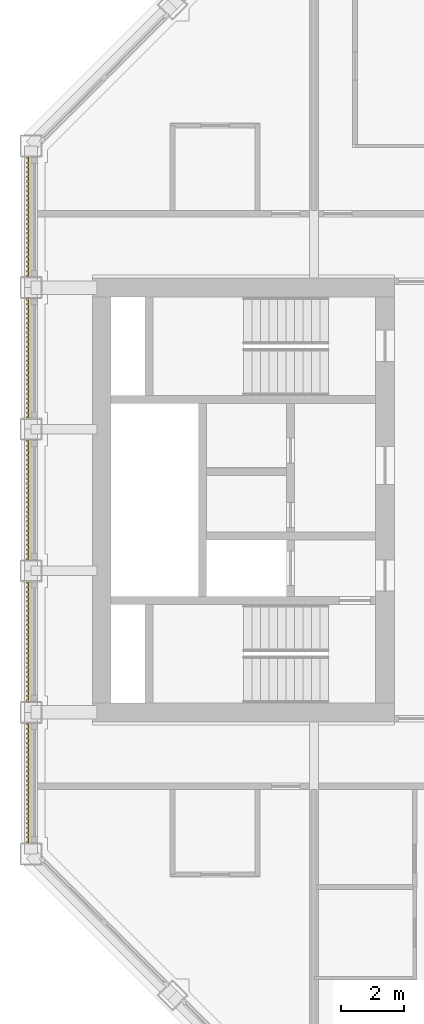
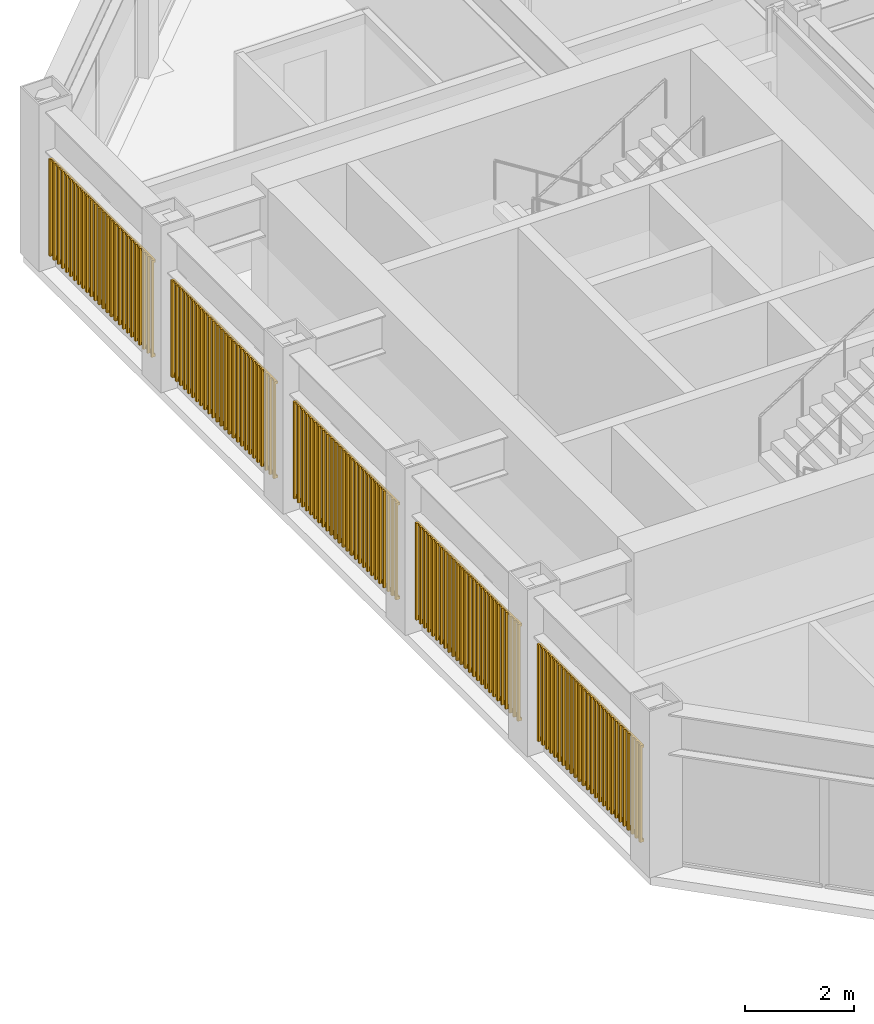
# One storey, part 15 of 18: 1 shading device.
"""IFC4 building model written with IfcOpenShell, lengths in metres."""

from ifc_helpers import new_model, si_unit, direction, frame, origin, origin_2d, place, context, subcontext, project, spatial, rectangle, extrude, material, type_object, element, save


model = new_model("IFC4")

# Units and contexts
model_context = context("Model", 3, precision=1e-05, world=origin(), true_north=direction((0.0, 1.0)))
body_context = subcontext(model_context, "Body", "Model", "MODEL_VIEW")
ifc_project = project(units=[si_unit("LENGTHUNIT", "METRE"), si_unit("AREAUNIT", "SQUARE_METRE"), si_unit("VOLUMEUNIT", "CUBIC_METRE"), si_unit("PLANEANGLEUNIT", "RADIAN"), si_unit("MASSUNIT", "GRAM", prefix="KILO")], contexts=[model_context])

# Site, building, storey
site_placement = place(None, origin())
site = spatial("IfcSite", under=ifc_project, at=site_placement, CompositionType="ELEMENT")
building_placement = place(site_placement, origin())
building = spatial("IfcBuilding", under=site, at=building_placement, Name="Msasa Ring Tower", CompositionType="ELEMENT")
storey_placement = place(building_placement, frame((0.0, 0.0, 245.800048828125)))
storey = spatial("IfcBuildingStorey", under=building, at=storey_placement, Name="L64", CompositionType="ELEMENT", Elevation=245.800048828125)

# Shading device
ifc_material = material(Name="Extruded terracotta on aluminium carriers", Category="masonry")
shading_device_type = type_object("IfcShadingDeviceType", Name="BS1 TERRACOTTA BAGUETTE SCREEN 50x50 AT 150", PredefinedType="USERDEFINED", material=ifc_material)
shading_device_placement = place(storey_placement, origin())
element("IfcShadingDevice", 1, at=shading_device_placement, inside=storey, type_object=shading_device_type, Name="Terracotta baguette screen W L64", ObjectType="BAGUETTE", PredefinedType="USERDEFINED", context=body_context, shape_type="SweptSolid", body=[
    extrude(rectangle(XDim=0.06005859375, YDim=0.0400390625, at=origin_2d()), frame((-20.330078125, -10.89990234375, 0.329833984375), z_axis=(0.0, 1.0, 0.0), x_axis=(0.0, 0.0, 1.0)), (0.0, 0.0, 1.0), 3.800048828125),
    extrude(rectangle(XDim=0.06005859375, YDim=0.0400390625, at=origin_2d()), frame((-20.330078125, -10.89990234375, 2.448974609375), z_axis=(0.0, 1.0, 0.0), x_axis=(0.0, 0.0, 1.0)), (0.0, 0.0, 1.0), 3.800048828125),
    extrude(rectangle(XDim=0.050048828125, YDim=0.050048828125, at=origin_2d()), frame((-20.3701171875, -10.875, 0.300048828125), z_axis=(0.0, 0.0, 1.0), x_axis=(0.0, 1.0, 0.0)), (0.0, 0.0, 1.0), 2.178955078125),
    extrude(rectangle(XDim=0.050048828125, YDim=0.050048828125, at=origin_2d()), frame((-20.3701171875, -10.72509765625, 0.300048828125), z_axis=(0.0, 0.0, 1.0), x_axis=(0.0, 1.0, 0.0)), (0.0, 0.0, 1.0), 2.178955078125),
    extrude(rectangle(XDim=0.050048828125, YDim=0.050048828125, at=origin_2d()), frame((-20.3701171875, -10.574951171875, 0.300048828125), z_axis=(0.0, 0.0, 1.0), x_axis=(0.0, 1.0, 0.0)), (0.0, 0.0, 1.0), 2.178955078125),
    extrude(rectangle(XDim=0.050048828125, YDim=0.050048828125, at=origin_2d()), frame((-20.3701171875, -10.425048828125, 0.300048828125), z_axis=(0.0, 0.0, 1.0), x_axis=(0.0, 1.0, 0.0)), (0.0, 0.0, 1.0), 2.178955078125),
    extrude(rectangle(XDim=0.050048828125, YDim=0.050048828125, at=origin_2d()), frame((-20.3701171875, -10.27490234375, 0.300048828125), z_axis=(0.0, 0.0, 1.0), x_axis=(0.0, 1.0, 0.0)), (0.0, 0.0, 1.0), 2.178955078125),
    extrude(rectangle(XDim=0.050048828125, YDim=0.050048828125, at=origin_2d()), frame((-20.3701171875, -10.125, 0.300048828125), z_axis=(0.0, 0.0, 1.0), x_axis=(0.0, 1.0, 0.0)), (0.0, 0.0, 1.0), 2.178955078125),
    extrude(rectangle(XDim=0.050048828125, YDim=0.050048828125, at=origin_2d()), frame((-20.3701171875, -9.97509765625, 0.300048828125), z_axis=(0.0, 0.0, 1.0), x_axis=(0.0, 1.0, 0.0)), (0.0, 0.0, 1.0), 2.178955078125),
    extrude(rectangle(XDim=0.050048828125, YDim=0.050048828125, at=origin_2d()), frame((-20.3701171875, -9.824951171875, 0.300048828125), z_axis=(0.0, 0.0, 1.0), x_axis=(0.0, 1.0, 0.0)), (0.0, 0.0, 1.0), 2.178955078125),
    extrude(rectangle(XDim=0.050048828125, YDim=0.050048828125, at=origin_2d()), frame((-20.3701171875, -9.675048828125, 0.300048828125), z_axis=(0.0, 0.0, 1.0), x_axis=(0.0, 1.0, 0.0)), (0.0, 0.0, 1.0), 2.178955078125),
    extrude(rectangle(XDim=0.050048828125, YDim=0.050048828125, at=origin_2d()), frame((-20.3701171875, -9.52490234375, 0.300048828125), z_axis=(0.0, 0.0, 1.0), x_axis=(0.0, 1.0, 0.0)), (0.0, 0.0, 1.0), 2.178955078125),
    extrude(rectangle(XDim=0.050048828125, YDim=0.050048828125, at=origin_2d()), frame((-20.3701171875, -9.375, 0.300048828125), z_axis=(0.0, 0.0, 1.0), x_axis=(0.0, 1.0, 0.0)), (0.0, 0.0, 1.0), 2.178955078125),
    extrude(rectangle(XDim=0.050048828125, YDim=0.050048828125, at=origin_2d()), frame((-20.3701171875, -9.22509765625, 0.300048828125), z_axis=(0.0, 0.0, 1.0), x_axis=(0.0, 1.0, 0.0)), (0.0, 0.0, 1.0), 2.178955078125),
    extrude(rectangle(XDim=0.050048828125, YDim=0.050048828125, at=origin_2d()), frame((-20.3701171875, -9.074951171875, 0.300048828125), z_axis=(0.0, 0.0, 1.0), x_axis=(0.0, 1.0, 0.0)), (0.0, 0.0, 1.0), 2.178955078125),
    extrude(rectangle(XDim=0.050048828125, YDim=0.050048828125, at=origin_2d()), frame((-20.3701171875, -8.925048828125, 0.300048828125), z_axis=(0.0, 0.0, 1.0), x_axis=(0.0, 1.0, 0.0)), (0.0, 0.0, 1.0), 2.178955078125),
    extrude(rectangle(XDim=0.050048828125, YDim=0.050048828125, at=origin_2d()), frame((-20.3701171875, -8.77490234375, 0.300048828125), z_axis=(0.0, 0.0, 1.0), x_axis=(0.0, 1.0, 0.0)), (0.0, 0.0, 1.0), 2.178955078125),
    extrude(rectangle(XDim=0.050048828125, YDim=0.050048828125, at=origin_2d()), frame((-20.3701171875, -8.625, 0.300048828125), z_axis=(0.0, 0.0, 1.0), x_axis=(0.0, 1.0, 0.0)), (0.0, 0.0, 1.0), 2.178955078125),
    extrude(rectangle(XDim=0.050048828125, YDim=0.050048828125, at=origin_2d()), frame((-20.3701171875, -8.47509765625, 0.300048828125), z_axis=(0.0, 0.0, 1.0), x_axis=(0.0, 1.0, 0.0)), (0.0, 0.0, 1.0), 2.178955078125),
    extrude(rectangle(XDim=0.050048828125, YDim=0.050048828125, at=origin_2d()), frame((-20.3701171875, -8.324951171875, 0.300048828125), z_axis=(0.0, 0.0, 1.0), x_axis=(0.0, 1.0, 0.0)), (0.0, 0.0, 1.0), 2.178955078125),
    extrude(rectangle(XDim=0.050048828125, YDim=0.050048828125, at=origin_2d()), frame((-20.3701171875, -8.175048828125, 0.300048828125), z_axis=(0.0, 0.0, 1.0), x_axis=(0.0, 1.0, 0.0)), (0.0, 0.0, 1.0), 2.178955078125),
    extrude(rectangle(XDim=0.050048828125, YDim=0.050048828125, at=origin_2d()), frame((-20.3701171875, -8.02490234375, 0.300048828125), z_axis=(0.0, 0.0, 1.0), x_axis=(0.0, 1.0, 0.0)), (0.0, 0.0, 1.0), 2.178955078125),
    extrude(rectangle(XDim=0.050048828125, YDim=0.050048828125, at=origin_2d()), frame((-20.3701171875, -7.875, 0.300048828125), z_axis=(0.0, 0.0, 1.0), x_axis=(0.0, 1.0, 0.0)), (0.0, 0.0, 1.0), 2.178955078125),
    extrude(rectangle(XDim=0.050048828125, YDim=0.050048828125, at=origin_2d()), frame((-20.3701171875, -7.72509765625, 0.300048828125), z_axis=(0.0, 0.0, 1.0), x_axis=(0.0, 1.0, 0.0)), (0.0, 0.0, 1.0), 2.178955078125),
    extrude(rectangle(XDim=0.050048828125, YDim=0.050048828125, at=origin_2d()), frame((-20.3701171875, -7.574951171875, 0.300048828125), z_axis=(0.0, 0.0, 1.0), x_axis=(0.0, 1.0, 0.0)), (0.0, 0.0, 1.0), 2.178955078125),
    extrude(rectangle(XDim=0.050048828125, YDim=0.050048828125, at=origin_2d()), frame((-20.3701171875, -7.425048828125, 0.300048828125), z_axis=(0.0, 0.0, 1.0), x_axis=(0.0, 1.0, 0.0)), (0.0, 0.0, 1.0), 2.178955078125),
    extrude(rectangle(XDim=0.050048828125, YDim=0.050048828125, at=origin_2d()), frame((-20.3701171875, -7.27490234375, 0.300048828125), z_axis=(0.0, 0.0, 1.0), x_axis=(0.0, 1.0, 0.0)), (0.0, 0.0, 1.0), 2.178955078125),
    extrude(rectangle(XDim=0.050048828125, YDim=0.050048828125, at=origin_2d()), frame((-20.3701171875, -7.125, 0.300048828125), z_axis=(0.0, 0.0, 1.0), x_axis=(0.0, 1.0, 0.0)), (0.0, 0.0, 1.0), 2.178955078125),
    extrude(rectangle(XDim=0.06005859375, YDim=0.0400390625, at=origin_2d()), frame((-20.330078125, -6.39990234375, 0.329833984375), z_axis=(0.0, 1.0, 0.0), x_axis=(0.0, 0.0, 1.0)), (0.0, 0.0, 1.0), 3.800048828125),
    extrude(rectangle(XDim=0.06005859375, YDim=0.0400390625, at=origin_2d()), frame((-20.330078125, -6.39990234375, 2.448974609375), z_axis=(0.0, 1.0, 0.0), x_axis=(0.0, 0.0, 1.0)), (0.0, 0.0, 1.0), 3.800048828125),
    extrude(rectangle(XDim=0.050048828125, YDim=0.050048828125, at=origin_2d()), frame((-20.3701171875, -6.375, 0.300048828125), z_axis=(0.0, 0.0, 1.0), x_axis=(0.0, 1.0, 0.0)), (0.0, 0.0, 1.0), 2.178955078125),
    extrude(rectangle(XDim=0.050048828125, YDim=0.050048828125, at=origin_2d()), frame((-20.3701171875, -6.22509765625, 0.300048828125), z_axis=(0.0, 0.0, 1.0), x_axis=(0.0, 1.0, 0.0)), (0.0, 0.0, 1.0), 2.178955078125),
    extrude(rectangle(XDim=0.050048828125, YDim=0.050048828125, at=origin_2d()), frame((-20.3701171875, -6.074951171875, 0.300048828125), z_axis=(0.0, 0.0, 1.0), x_axis=(0.0, 1.0, 0.0)), (0.0, 0.0, 1.0), 2.178955078125),
    extrude(rectangle(XDim=0.050048828125, YDim=0.050048828125, at=origin_2d()), frame((-20.3701171875, -5.925048828125, 0.300048828125), z_axis=(0.0, 0.0, 1.0), x_axis=(0.0, 1.0, 0.0)), (0.0, 0.0, 1.0), 2.178955078125),
    extrude(rectangle(XDim=0.050048828125, YDim=0.050048828125, at=origin_2d()), frame((-20.3701171875, -5.77490234375, 0.300048828125), z_axis=(0.0, 0.0, 1.0), x_axis=(0.0, 1.0, 0.0)), (0.0, 0.0, 1.0), 2.178955078125),
    extrude(rectangle(XDim=0.050048828125, YDim=0.050048828125, at=origin_2d()), frame((-20.3701171875, -5.625, 0.300048828125), z_axis=(0.0, 0.0, 1.0), x_axis=(0.0, 1.0, 0.0)), (0.0, 0.0, 1.0), 2.178955078125),
    extrude(rectangle(XDim=0.050048828125, YDim=0.050048828125, at=origin_2d()), frame((-20.3701171875, -5.47509765625, 0.300048828125), z_axis=(0.0, 0.0, 1.0), x_axis=(0.0, 1.0, 0.0)), (0.0, 0.0, 1.0), 2.178955078125),
    extrude(rectangle(XDim=0.050048828125, YDim=0.050048828125, at=origin_2d()), frame((-20.3701171875, -5.324951171875, 0.300048828125), z_axis=(0.0, 0.0, 1.0), x_axis=(0.0, 1.0, 0.0)), (0.0, 0.0, 1.0), 2.178955078125),
    extrude(rectangle(XDim=0.050048828125, YDim=0.050048828125, at=origin_2d()), frame((-20.3701171875, -5.175048828125, 0.300048828125), z_axis=(0.0, 0.0, 1.0), x_axis=(0.0, 1.0, 0.0)), (0.0, 0.0, 1.0), 2.178955078125),
    extrude(rectangle(XDim=0.050048828125, YDim=0.050048828125, at=origin_2d()), frame((-20.3701171875, -5.02490234375, 0.300048828125), z_axis=(0.0, 0.0, 1.0), x_axis=(0.0, 1.0, 0.0)), (0.0, 0.0, 1.0), 2.178955078125),
    extrude(rectangle(XDim=0.050048828125, YDim=0.050048828125, at=origin_2d()), frame((-20.3701171875, -4.875, 0.300048828125), z_axis=(0.0, 0.0, 1.0), x_axis=(0.0, 1.0, 0.0)), (0.0, 0.0, 1.0), 2.178955078125),
    extrude(rectangle(XDim=0.050048828125, YDim=0.050048828125, at=origin_2d()), frame((-20.3701171875, -4.72509765625, 0.300048828125), z_axis=(0.0, 0.0, 1.0), x_axis=(0.0, 1.0, 0.0)), (0.0, 0.0, 1.0), 2.178955078125),
    extrude(rectangle(XDim=0.050048828125, YDim=0.050048828125, at=origin_2d()), frame((-20.3701171875, -4.574951171875, 0.300048828125), z_axis=(0.0, 0.0, 1.0), x_axis=(0.0, 1.0, 0.0)), (0.0, 0.0, 1.0), 2.178955078125),
    extrude(rectangle(XDim=0.050048828125, YDim=0.050048828125, at=origin_2d()), frame((-20.3701171875, -4.425048828125, 0.300048828125), z_axis=(0.0, 0.0, 1.0), x_axis=(0.0, 1.0, 0.0)), (0.0, 0.0, 1.0), 2.178955078125),
    extrude(rectangle(XDim=0.050048828125, YDim=0.050048828125, at=origin_2d()), frame((-20.3701171875, -4.27490234375, 0.300048828125), z_axis=(0.0, 0.0, 1.0), x_axis=(0.0, 1.0, 0.0)), (0.0, 0.0, 1.0), 2.178955078125),
    extrude(rectangle(XDim=0.050048828125, YDim=0.050048828125, at=origin_2d()), frame((-20.3701171875, -4.125, 0.300048828125), z_axis=(0.0, 0.0, 1.0), x_axis=(0.0, 1.0, 0.0)), (0.0, 0.0, 1.0), 2.178955078125),
    extrude(rectangle(XDim=0.050048828125, YDim=0.050048828125, at=origin_2d()), frame((-20.3701171875, -3.97509765625, 0.300048828125), z_axis=(0.0, 0.0, 1.0), x_axis=(0.0, 1.0, 0.0)), (0.0, 0.0, 1.0), 2.178955078125),
    extrude(rectangle(XDim=0.050048828125, YDim=0.050048828125, at=origin_2d()), frame((-20.3701171875, -3.824951171875, 0.300048828125), z_axis=(0.0, 0.0, 1.0), x_axis=(0.0, 1.0, 0.0)), (0.0, 0.0, 1.0), 2.178955078125),
    extrude(rectangle(XDim=0.050048828125, YDim=0.050048828125, at=origin_2d()), frame((-20.3701171875, -3.675048828125, 0.300048828125), z_axis=(0.0, 0.0, 1.0), x_axis=(0.0, 1.0, 0.0)), (0.0, 0.0, 1.0), 2.178955078125),
    extrude(rectangle(XDim=0.050048828125, YDim=0.050048828125, at=origin_2d()), frame((-20.3701171875, -3.52490234375, 0.300048828125), z_axis=(0.0, 0.0, 1.0), x_axis=(0.0, 1.0, 0.0)), (0.0, 0.0, 1.0), 2.178955078125),
    extrude(rectangle(XDim=0.050048828125, YDim=0.050048828125, at=origin_2d()), frame((-20.3701171875, -3.375, 0.300048828125), z_axis=(0.0, 0.0, 1.0), x_axis=(0.0, 1.0, 0.0)), (0.0, 0.0, 1.0), 2.178955078125),
    extrude(rectangle(XDim=0.050048828125, YDim=0.050048828125, at=origin_2d()), frame((-20.3701171875, -3.22509765625, 0.300048828125), z_axis=(0.0, 0.0, 1.0), x_axis=(0.0, 1.0, 0.0)), (0.0, 0.0, 1.0), 2.178955078125),
    extrude(rectangle(XDim=0.050048828125, YDim=0.050048828125, at=origin_2d()), frame((-20.3701171875, -3.074951171875, 0.300048828125), z_axis=(0.0, 0.0, 1.0), x_axis=(0.0, 1.0, 0.0)), (0.0, 0.0, 1.0), 2.178955078125),
    extrude(rectangle(XDim=0.050048828125, YDim=0.050048828125, at=origin_2d()), frame((-20.3701171875, -2.925048828125, 0.300048828125), z_axis=(0.0, 0.0, 1.0), x_axis=(0.0, 1.0, 0.0)), (0.0, 0.0, 1.0), 2.178955078125),
    extrude(rectangle(XDim=0.050048828125, YDim=0.050048828125, at=origin_2d()), frame((-20.3701171875, -2.77490234375, 0.300048828125), z_axis=(0.0, 0.0, 1.0), x_axis=(0.0, 1.0, 0.0)), (0.0, 0.0, 1.0), 2.178955078125),
    extrude(rectangle(XDim=0.050048828125, YDim=0.050048828125, at=origin_2d()), frame((-20.3701171875, -2.625, 0.300048828125), z_axis=(0.0, 0.0, 1.0), x_axis=(0.0, 1.0, 0.0)), (0.0, 0.0, 1.0), 2.178955078125),
    extrude(rectangle(XDim=0.06005859375, YDim=0.0400390625, at=origin_2d()), frame((-20.330078125, -1.89990234375, 0.329833984375), z_axis=(0.0, 1.0, 0.0), x_axis=(0.0, 0.0, 1.0)), (0.0, 0.0, 1.0), 3.800048828125),
    extrude(rectangle(XDim=0.06005859375, YDim=0.0400390625, at=origin_2d()), frame((-20.330078125, -1.89990234375, 2.448974609375), z_axis=(0.0, 1.0, 0.0), x_axis=(0.0, 0.0, 1.0)), (0.0, 0.0, 1.0), 3.800048828125),
    extrude(rectangle(XDim=0.050048828125, YDim=0.050048828125, at=origin_2d()), frame((-20.3701171875, -1.875, 0.300048828125), z_axis=(0.0, 0.0, 1.0), x_axis=(0.0, 1.0, 0.0)), (0.0, 0.0, 1.0), 2.178955078125),
    extrude(rectangle(XDim=0.050048828125, YDim=0.050048828125, at=origin_2d()), frame((-20.3701171875, -1.72509765625, 0.300048828125), z_axis=(0.0, 0.0, 1.0), x_axis=(0.0, 1.0, 0.0)), (0.0, 0.0, 1.0), 2.178955078125),
    extrude(rectangle(XDim=0.050048828125, YDim=0.050048828125, at=origin_2d()), frame((-20.3701171875, -1.574951171875, 0.300048828125), z_axis=(0.0, 0.0, 1.0), x_axis=(0.0, 1.0, 0.0)), (0.0, 0.0, 1.0), 2.178955078125),
    extrude(rectangle(XDim=0.050048828125, YDim=0.050048828125, at=origin_2d()), frame((-20.3701171875, -1.425048828125, 0.300048828125), z_axis=(0.0, 0.0, 1.0), x_axis=(0.0, 1.0, 0.0)), (0.0, 0.0, 1.0), 2.178955078125),
    extrude(rectangle(XDim=0.050048828125, YDim=0.050048828125, at=origin_2d()), frame((-20.3701171875, -1.27490234375, 0.300048828125), z_axis=(0.0, 0.0, 1.0), x_axis=(0.0, 1.0, 0.0)), (0.0, 0.0, 1.0), 2.178955078125),
    extrude(rectangle(XDim=0.050048828125, YDim=0.050048828125, at=origin_2d()), frame((-20.3701171875, -1.125, 0.300048828125), z_axis=(0.0, 0.0, 1.0), x_axis=(0.0, 1.0, 0.0)), (0.0, 0.0, 1.0), 2.178955078125),
    extrude(rectangle(XDim=0.050048828125, YDim=0.050048828125, at=origin_2d()), frame((-20.3701171875, -0.97509765625, 0.300048828125), z_axis=(0.0, 0.0, 1.0), x_axis=(0.0, 1.0, 0.0)), (0.0, 0.0, 1.0), 2.178955078125),
    extrude(rectangle(XDim=0.050048828125, YDim=0.050048828125, at=origin_2d()), frame((-20.3701171875, -0.824951171875, 0.300048828125), z_axis=(0.0, 0.0, 1.0), x_axis=(0.0, 1.0, 0.0)), (0.0, 0.0, 1.0), 2.178955078125),
    extrude(rectangle(XDim=0.050048828125, YDim=0.050048828125, at=origin_2d()), frame((-20.3701171875, -0.675048828125, 0.300048828125), z_axis=(0.0, 0.0, 1.0), x_axis=(0.0, 1.0, 0.0)), (0.0, 0.0, 1.0), 2.178955078125),
    extrude(rectangle(XDim=0.050048828125, YDim=0.050048828125, at=origin_2d()), frame((-20.3701171875, -0.52490234375, 0.300048828125), z_axis=(0.0, 0.0, 1.0), x_axis=(0.0, 1.0, 0.0)), (0.0, 0.0, 1.0), 2.178955078125),
    extrude(rectangle(XDim=0.050048828125, YDim=0.050048828125, at=origin_2d()), frame((-20.3701171875, -0.375, 0.300048828125), z_axis=(0.0, 0.0, 1.0), x_axis=(0.0, 1.0, 0.0)), (0.0, 0.0, 1.0), 2.178955078125),
    extrude(rectangle(XDim=0.050048828125, YDim=0.050048828125, at=origin_2d()), frame((-20.3701171875, -0.22509765625, 0.300048828125), z_axis=(0.0, 0.0, 1.0), x_axis=(0.0, 1.0, 0.0)), (0.0, 0.0, 1.0), 2.178955078125),
    extrude(rectangle(XDim=0.050048828125, YDim=0.050048828125, at=origin_2d()), frame((-20.3701171875, -0.074951171875, 0.300048828125), z_axis=(0.0, 0.0, 1.0), x_axis=(0.0, 1.0, 0.0)), (0.0, 0.0, 1.0), 2.178955078125),
    extrude(rectangle(XDim=0.050048828125, YDim=0.050048828125, at=origin_2d()), frame((-20.3701171875, 0.074951171875, 0.300048828125), z_axis=(0.0, 0.0, 1.0), x_axis=(0.0, 1.0, 0.0)), (0.0, 0.0, 1.0), 2.178955078125),
    extrude(rectangle(XDim=0.050048828125, YDim=0.050048828125, at=origin_2d()), frame((-20.3701171875, 0.22509765625, 0.300048828125), z_axis=(0.0, 0.0, 1.0), x_axis=(0.0, 1.0, 0.0)), (0.0, 0.0, 1.0), 2.178955078125),
    extrude(rectangle(XDim=0.050048828125, YDim=0.050048828125, at=origin_2d()), frame((-20.3701171875, 0.375, 0.300048828125), z_axis=(0.0, 0.0, 1.0), x_axis=(0.0, 1.0, 0.0)), (0.0, 0.0, 1.0), 2.178955078125),
    extrude(rectangle(XDim=0.050048828125, YDim=0.050048828125, at=origin_2d()), frame((-20.3701171875, 0.52490234375, 0.300048828125), z_axis=(0.0, 0.0, 1.0), x_axis=(0.0, 1.0, 0.0)), (0.0, 0.0, 1.0), 2.178955078125),
    extrude(rectangle(XDim=0.050048828125, YDim=0.050048828125, at=origin_2d()), frame((-20.3701171875, 0.675048828125, 0.300048828125), z_axis=(0.0, 0.0, 1.0), x_axis=(0.0, 1.0, 0.0)), (0.0, 0.0, 1.0), 2.178955078125),
    extrude(rectangle(XDim=0.050048828125, YDim=0.050048828125, at=origin_2d()), frame((-20.3701171875, 0.824951171875, 0.300048828125), z_axis=(0.0, 0.0, 1.0), x_axis=(0.0, 1.0, 0.0)), (0.0, 0.0, 1.0), 2.178955078125),
    extrude(rectangle(XDim=0.050048828125, YDim=0.050048828125, at=origin_2d()), frame((-20.3701171875, 0.97509765625, 0.300048828125), z_axis=(0.0, 0.0, 1.0), x_axis=(0.0, 1.0, 0.0)), (0.0, 0.0, 1.0), 2.178955078125),
    extrude(rectangle(XDim=0.050048828125, YDim=0.050048828125, at=origin_2d()), frame((-20.3701171875, 1.125, 0.300048828125), z_axis=(0.0, 0.0, 1.0), x_axis=(0.0, 1.0, 0.0)), (0.0, 0.0, 1.0), 2.178955078125),
    extrude(rectangle(XDim=0.050048828125, YDim=0.050048828125, at=origin_2d()), frame((-20.3701171875, 1.27490234375, 0.300048828125), z_axis=(0.0, 0.0, 1.0), x_axis=(0.0, 1.0, 0.0)), (0.0, 0.0, 1.0), 2.178955078125),
    extrude(rectangle(XDim=0.050048828125, YDim=0.050048828125, at=origin_2d()), frame((-20.3701171875, 1.425048828125, 0.300048828125), z_axis=(0.0, 0.0, 1.0), x_axis=(0.0, 1.0, 0.0)), (0.0, 0.0, 1.0), 2.178955078125),
    extrude(rectangle(XDim=0.050048828125, YDim=0.050048828125, at=origin_2d()), frame((-20.3701171875, 1.574951171875, 0.300048828125), z_axis=(0.0, 0.0, 1.0), x_axis=(0.0, 1.0, 0.0)), (0.0, 0.0, 1.0), 2.178955078125),
    extrude(rectangle(XDim=0.050048828125, YDim=0.050048828125, at=origin_2d()), frame((-20.3701171875, 1.72509765625, 0.300048828125), z_axis=(0.0, 0.0, 1.0), x_axis=(0.0, 1.0, 0.0)), (0.0, 0.0, 1.0), 2.178955078125),
    extrude(rectangle(XDim=0.050048828125, YDim=0.050048828125, at=origin_2d()), frame((-20.3701171875, 1.875, 0.300048828125), z_axis=(0.0, 0.0, 1.0), x_axis=(0.0, 1.0, 0.0)), (0.0, 0.0, 1.0), 2.178955078125),
    extrude(rectangle(XDim=0.06005859375, YDim=0.0400390625, at=origin_2d()), frame((-20.330078125, 2.60009765625, 0.329833984375), z_axis=(0.0, 1.0, 0.0), x_axis=(0.0, 0.0, 1.0)), (0.0, 0.0, 1.0), 3.800048828125),
    extrude(rectangle(XDim=0.06005859375, YDim=0.0400390625, at=origin_2d()), frame((-20.330078125, 2.60009765625, 2.448974609375), z_axis=(0.0, 1.0, 0.0), x_axis=(0.0, 0.0, 1.0)), (0.0, 0.0, 1.0), 3.800048828125),
    extrude(rectangle(XDim=0.050048828125, YDim=0.050048828125, at=origin_2d()), frame((-20.3701171875, 2.625, 0.300048828125), z_axis=(0.0, 0.0, 1.0), x_axis=(0.0, 1.0, 0.0)), (0.0, 0.0, 1.0), 2.178955078125),
    extrude(rectangle(XDim=0.050048828125, YDim=0.050048828125, at=origin_2d()), frame((-20.3701171875, 2.77490234375, 0.300048828125), z_axis=(0.0, 0.0, 1.0), x_axis=(0.0, 1.0, 0.0)), (0.0, 0.0, 1.0), 2.178955078125),
    extrude(rectangle(XDim=0.050048828125, YDim=0.050048828125, at=origin_2d()), frame((-20.3701171875, 2.925048828125, 0.300048828125), z_axis=(0.0, 0.0, 1.0), x_axis=(0.0, 1.0, 0.0)), (0.0, 0.0, 1.0), 2.178955078125),
    extrude(rectangle(XDim=0.050048828125, YDim=0.050048828125, at=origin_2d()), frame((-20.3701171875, 3.074951171875, 0.300048828125), z_axis=(0.0, 0.0, 1.0), x_axis=(0.0, 1.0, 0.0)), (0.0, 0.0, 1.0), 2.178955078125),
    extrude(rectangle(XDim=0.050048828125, YDim=0.050048828125, at=origin_2d()), frame((-20.3701171875, 3.22509765625, 0.300048828125), z_axis=(0.0, 0.0, 1.0), x_axis=(0.0, 1.0, 0.0)), (0.0, 0.0, 1.0), 2.178955078125),
    extrude(rectangle(XDim=0.050048828125, YDim=0.050048828125, at=origin_2d()), frame((-20.3701171875, 3.375, 0.300048828125), z_axis=(0.0, 0.0, 1.0), x_axis=(0.0, 1.0, 0.0)), (0.0, 0.0, 1.0), 2.178955078125),
    extrude(rectangle(XDim=0.050048828125, YDim=0.050048828125, at=origin_2d()), frame((-20.3701171875, 3.52490234375, 0.300048828125), z_axis=(0.0, 0.0, 1.0), x_axis=(0.0, 1.0, 0.0)), (0.0, 0.0, 1.0), 2.178955078125),
    extrude(rectangle(XDim=0.050048828125, YDim=0.050048828125, at=origin_2d()), frame((-20.3701171875, 3.675048828125, 0.300048828125), z_axis=(0.0, 0.0, 1.0), x_axis=(0.0, 1.0, 0.0)), (0.0, 0.0, 1.0), 2.178955078125),
    extrude(rectangle(XDim=0.050048828125, YDim=0.050048828125, at=origin_2d()), frame((-20.3701171875, 3.824951171875, 0.300048828125), z_axis=(0.0, 0.0, 1.0), x_axis=(0.0, 1.0, 0.0)), (0.0, 0.0, 1.0), 2.178955078125),
    extrude(rectangle(XDim=0.050048828125, YDim=0.050048828125, at=origin_2d()), frame((-20.3701171875, 3.97509765625, 0.300048828125), z_axis=(0.0, 0.0, 1.0), x_axis=(0.0, 1.0, 0.0)), (0.0, 0.0, 1.0), 2.178955078125),
    extrude(rectangle(XDim=0.050048828125, YDim=0.050048828125, at=origin_2d()), frame((-20.3701171875, 4.125, 0.300048828125), z_axis=(0.0, 0.0, 1.0), x_axis=(0.0, 1.0, 0.0)), (0.0, 0.0, 1.0), 2.178955078125),
    extrude(rectangle(XDim=0.050048828125, YDim=0.050048828125, at=origin_2d()), frame((-20.3701171875, 4.27490234375, 0.300048828125), z_axis=(0.0, 0.0, 1.0), x_axis=(0.0, 1.0, 0.0)), (0.0, 0.0, 1.0), 2.178955078125),
    extrude(rectangle(XDim=0.050048828125, YDim=0.050048828125, at=origin_2d()), frame((-20.3701171875, 4.425048828125, 0.300048828125), z_axis=(0.0, 0.0, 1.0), x_axis=(0.0, 1.0, 0.0)), (0.0, 0.0, 1.0), 2.178955078125),
    extrude(rectangle(XDim=0.050048828125, YDim=0.050048828125, at=origin_2d()), frame((-20.3701171875, 4.574951171875, 0.300048828125), z_axis=(0.0, 0.0, 1.0), x_axis=(0.0, 1.0, 0.0)), (0.0, 0.0, 1.0), 2.178955078125),
    extrude(rectangle(XDim=0.050048828125, YDim=0.050048828125, at=origin_2d()), frame((-20.3701171875, 4.72509765625, 0.300048828125), z_axis=(0.0, 0.0, 1.0), x_axis=(0.0, 1.0, 0.0)), (0.0, 0.0, 1.0), 2.178955078125),
    extrude(rectangle(XDim=0.050048828125, YDim=0.050048828125, at=origin_2d()), frame((-20.3701171875, 4.875, 0.300048828125), z_axis=(0.0, 0.0, 1.0), x_axis=(0.0, 1.0, 0.0)), (0.0, 0.0, 1.0), 2.178955078125),
    extrude(rectangle(XDim=0.050048828125, YDim=0.050048828125, at=origin_2d()), frame((-20.3701171875, 5.02490234375, 0.300048828125), z_axis=(0.0, 0.0, 1.0), x_axis=(0.0, 1.0, 0.0)), (0.0, 0.0, 1.0), 2.178955078125),
    extrude(rectangle(XDim=0.050048828125, YDim=0.050048828125, at=origin_2d()), frame((-20.3701171875, 5.175048828125, 0.300048828125), z_axis=(0.0, 0.0, 1.0), x_axis=(0.0, 1.0, 0.0)), (0.0, 0.0, 1.0), 2.178955078125),
    extrude(rectangle(XDim=0.050048828125, YDim=0.050048828125, at=origin_2d()), frame((-20.3701171875, 5.324951171875, 0.300048828125), z_axis=(0.0, 0.0, 1.0), x_axis=(0.0, 1.0, 0.0)), (0.0, 0.0, 1.0), 2.178955078125),
    extrude(rectangle(XDim=0.050048828125, YDim=0.050048828125, at=origin_2d()), frame((-20.3701171875, 5.47509765625, 0.300048828125), z_axis=(0.0, 0.0, 1.0), x_axis=(0.0, 1.0, 0.0)), (0.0, 0.0, 1.0), 2.178955078125),
    extrude(rectangle(XDim=0.050048828125, YDim=0.050048828125, at=origin_2d()), frame((-20.3701171875, 5.625, 0.300048828125), z_axis=(0.0, 0.0, 1.0), x_axis=(0.0, 1.0, 0.0)), (0.0, 0.0, 1.0), 2.178955078125),
    extrude(rectangle(XDim=0.050048828125, YDim=0.050048828125, at=origin_2d()), frame((-20.3701171875, 5.77490234375, 0.300048828125), z_axis=(0.0, 0.0, 1.0), x_axis=(0.0, 1.0, 0.0)), (0.0, 0.0, 1.0), 2.178955078125),
    extrude(rectangle(XDim=0.050048828125, YDim=0.050048828125, at=origin_2d()), frame((-20.3701171875, 5.925048828125, 0.300048828125), z_axis=(0.0, 0.0, 1.0), x_axis=(0.0, 1.0, 0.0)), (0.0, 0.0, 1.0), 2.178955078125),
    extrude(rectangle(XDim=0.050048828125, YDim=0.050048828125, at=origin_2d()), frame((-20.3701171875, 6.074951171875, 0.300048828125), z_axis=(0.0, 0.0, 1.0), x_axis=(0.0, 1.0, 0.0)), (0.0, 0.0, 1.0), 2.178955078125),
    extrude(rectangle(XDim=0.050048828125, YDim=0.050048828125, at=origin_2d()), frame((-20.3701171875, 6.22509765625, 0.300048828125), z_axis=(0.0, 0.0, 1.0), x_axis=(0.0, 1.0, 0.0)), (0.0, 0.0, 1.0), 2.178955078125),
    extrude(rectangle(XDim=0.050048828125, YDim=0.050048828125, at=origin_2d()), frame((-20.3701171875, 6.375, 0.300048828125), z_axis=(0.0, 0.0, 1.0), x_axis=(0.0, 1.0, 0.0)), (0.0, 0.0, 1.0), 2.178955078125),
    extrude(rectangle(XDim=0.06005859375, YDim=0.0400390625, at=origin_2d()), frame((-20.330078125, 7.10009765625, 0.329833984375), z_axis=(0.0, 1.0, 0.0), x_axis=(0.0, 0.0, 1.0)), (0.0, 0.0, 1.0), 3.800048828125),
    extrude(rectangle(XDim=0.06005859375, YDim=0.0400390625, at=origin_2d()), frame((-20.330078125, 7.10009765625, 2.448974609375), z_axis=(0.0, 1.0, 0.0), x_axis=(0.0, 0.0, 1.0)), (0.0, 0.0, 1.0), 3.800048828125),
    extrude(rectangle(XDim=0.050048828125, YDim=0.050048828125, at=origin_2d()), frame((-20.3701171875, 7.125, 0.300048828125), z_axis=(0.0, 0.0, 1.0), x_axis=(0.0, 1.0, 0.0)), (0.0, 0.0, 1.0), 2.178955078125),
    extrude(rectangle(XDim=0.050048828125, YDim=0.050048828125, at=origin_2d()), frame((-20.3701171875, 7.27490234375, 0.300048828125), z_axis=(0.0, 0.0, 1.0), x_axis=(0.0, 1.0, 0.0)), (0.0, 0.0, 1.0), 2.178955078125),
    extrude(rectangle(XDim=0.050048828125, YDim=0.050048828125, at=origin_2d()), frame((-20.3701171875, 7.425048828125, 0.300048828125), z_axis=(0.0, 0.0, 1.0), x_axis=(0.0, 1.0, 0.0)), (0.0, 0.0, 1.0), 2.178955078125),
    extrude(rectangle(XDim=0.050048828125, YDim=0.050048828125, at=origin_2d()), frame((-20.3701171875, 7.574951171875, 0.300048828125), z_axis=(0.0, 0.0, 1.0), x_axis=(0.0, 1.0, 0.0)), (0.0, 0.0, 1.0), 2.178955078125),
    extrude(rectangle(XDim=0.050048828125, YDim=0.050048828125, at=origin_2d()), frame((-20.3701171875, 7.72509765625, 0.300048828125), z_axis=(0.0, 0.0, 1.0), x_axis=(0.0, 1.0, 0.0)), (0.0, 0.0, 1.0), 2.178955078125),
    extrude(rectangle(XDim=0.050048828125, YDim=0.050048828125, at=origin_2d()), frame((-20.3701171875, 7.875, 0.300048828125), z_axis=(0.0, 0.0, 1.0), x_axis=(0.0, 1.0, 0.0)), (0.0, 0.0, 1.0), 2.178955078125),
    extrude(rectangle(XDim=0.050048828125, YDim=0.050048828125, at=origin_2d()), frame((-20.3701171875, 8.02490234375, 0.300048828125), z_axis=(0.0, 0.0, 1.0), x_axis=(0.0, 1.0, 0.0)), (0.0, 0.0, 1.0), 2.178955078125),
    extrude(rectangle(XDim=0.050048828125, YDim=0.050048828125, at=origin_2d()), frame((-20.3701171875, 8.175048828125, 0.300048828125), z_axis=(0.0, 0.0, 1.0), x_axis=(0.0, 1.0, 0.0)), (0.0, 0.0, 1.0), 2.178955078125),
    extrude(rectangle(XDim=0.050048828125, YDim=0.050048828125, at=origin_2d()), frame((-20.3701171875, 8.324951171875, 0.300048828125), z_axis=(0.0, 0.0, 1.0), x_axis=(0.0, 1.0, 0.0)), (0.0, 0.0, 1.0), 2.178955078125),
    extrude(rectangle(XDim=0.050048828125, YDim=0.050048828125, at=origin_2d()), frame((-20.3701171875, 8.47509765625, 0.300048828125), z_axis=(0.0, 0.0, 1.0), x_axis=(0.0, 1.0, 0.0)), (0.0, 0.0, 1.0), 2.178955078125),
    extrude(rectangle(XDim=0.050048828125, YDim=0.050048828125, at=origin_2d()), frame((-20.3701171875, 8.625, 0.300048828125), z_axis=(0.0, 0.0, 1.0), x_axis=(0.0, 1.0, 0.0)), (0.0, 0.0, 1.0), 2.178955078125),
    extrude(rectangle(XDim=0.050048828125, YDim=0.050048828125, at=origin_2d()), frame((-20.3701171875, 8.77490234375, 0.300048828125), z_axis=(0.0, 0.0, 1.0), x_axis=(0.0, 1.0, 0.0)), (0.0, 0.0, 1.0), 2.178955078125),
    extrude(rectangle(XDim=0.050048828125, YDim=0.050048828125, at=origin_2d()), frame((-20.3701171875, 8.925048828125, 0.300048828125), z_axis=(0.0, 0.0, 1.0), x_axis=(0.0, 1.0, 0.0)), (0.0, 0.0, 1.0), 2.178955078125),
    extrude(rectangle(XDim=0.050048828125, YDim=0.050048828125, at=origin_2d()), frame((-20.3701171875, 9.074951171875, 0.300048828125), z_axis=(0.0, 0.0, 1.0), x_axis=(0.0, 1.0, 0.0)), (0.0, 0.0, 1.0), 2.178955078125),
    extrude(rectangle(XDim=0.050048828125, YDim=0.050048828125, at=origin_2d()), frame((-20.3701171875, 9.22509765625, 0.300048828125), z_axis=(0.0, 0.0, 1.0), x_axis=(0.0, 1.0, 0.0)), (0.0, 0.0, 1.0), 2.178955078125),
    extrude(rectangle(XDim=0.050048828125, YDim=0.050048828125, at=origin_2d()), frame((-20.3701171875, 9.375, 0.300048828125), z_axis=(0.0, 0.0, 1.0), x_axis=(0.0, 1.0, 0.0)), (0.0, 0.0, 1.0), 2.178955078125),
    extrude(rectangle(XDim=0.050048828125, YDim=0.050048828125, at=origin_2d()), frame((-20.3701171875, 9.52490234375, 0.300048828125), z_axis=(0.0, 0.0, 1.0), x_axis=(0.0, 1.0, 0.0)), (0.0, 0.0, 1.0), 2.178955078125),
    extrude(rectangle(XDim=0.050048828125, YDim=0.050048828125, at=origin_2d()), frame((-20.3701171875, 9.675048828125, 0.300048828125), z_axis=(0.0, 0.0, 1.0), x_axis=(0.0, 1.0, 0.0)), (0.0, 0.0, 1.0), 2.178955078125),
    extrude(rectangle(XDim=0.050048828125, YDim=0.050048828125, at=origin_2d()), frame((-20.3701171875, 9.824951171875, 0.300048828125), z_axis=(0.0, 0.0, 1.0), x_axis=(0.0, 1.0, 0.0)), (0.0, 0.0, 1.0), 2.178955078125),
    extrude(rectangle(XDim=0.050048828125, YDim=0.050048828125, at=origin_2d()), frame((-20.3701171875, 9.97509765625, 0.300048828125), z_axis=(0.0, 0.0, 1.0), x_axis=(0.0, 1.0, 0.0)), (0.0, 0.0, 1.0), 2.178955078125),
    extrude(rectangle(XDim=0.050048828125, YDim=0.050048828125, at=origin_2d()), frame((-20.3701171875, 10.125, 0.300048828125), z_axis=(0.0, 0.0, 1.0), x_axis=(0.0, 1.0, 0.0)), (0.0, 0.0, 1.0), 2.178955078125),
    extrude(rectangle(XDim=0.050048828125, YDim=0.050048828125, at=origin_2d()), frame((-20.3701171875, 10.27490234375, 0.300048828125), z_axis=(0.0, 0.0, 1.0), x_axis=(0.0, 1.0, 0.0)), (0.0, 0.0, 1.0), 2.178955078125),
    extrude(rectangle(XDim=0.050048828125, YDim=0.050048828125, at=origin_2d()), frame((-20.3701171875, 10.425048828125, 0.300048828125), z_axis=(0.0, 0.0, 1.0), x_axis=(0.0, 1.0, 0.0)), (0.0, 0.0, 1.0), 2.178955078125),
    extrude(rectangle(XDim=0.050048828125, YDim=0.050048828125, at=origin_2d()), frame((-20.3701171875, 10.574951171875, 0.300048828125), z_axis=(0.0, 0.0, 1.0), x_axis=(0.0, 1.0, 0.0)), (0.0, 0.0, 1.0), 2.178955078125),
    extrude(rectangle(XDim=0.050048828125, YDim=0.050048828125, at=origin_2d()), frame((-20.3701171875, 10.72509765625, 0.300048828125), z_axis=(0.0, 0.0, 1.0), x_axis=(0.0, 1.0, 0.0)), (0.0, 0.0, 1.0), 2.178955078125),
    extrude(rectangle(XDim=0.050048828125, YDim=0.050048828125, at=origin_2d()), frame((-20.3701171875, 10.875, 0.300048828125), z_axis=(0.0, 0.0, 1.0), x_axis=(0.0, 1.0, 0.0)), (0.0, 0.0, 1.0), 2.178955078125),
])

save(model, "model.ifc")
